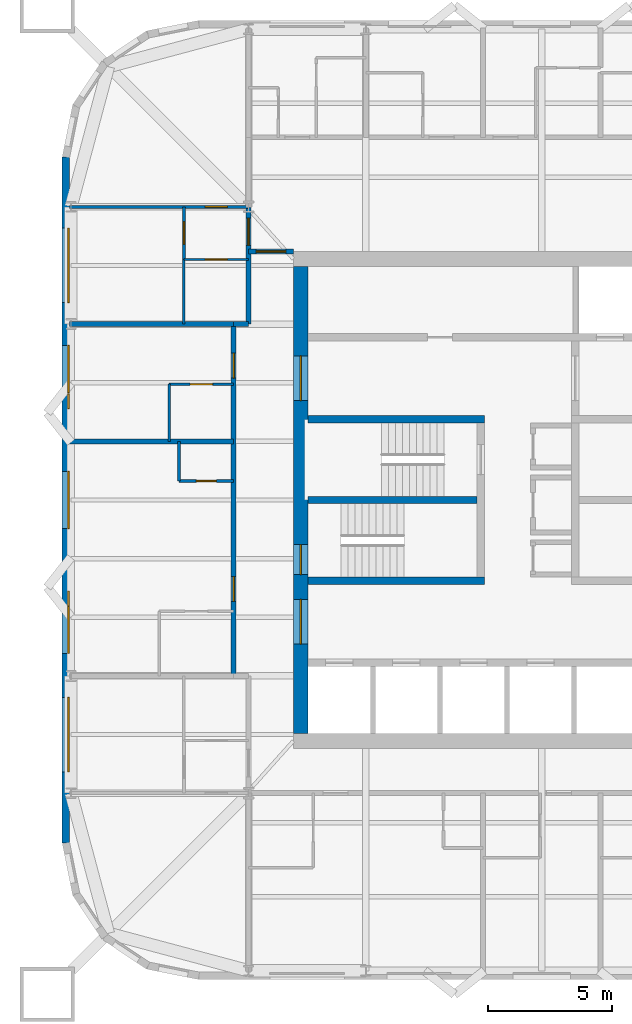
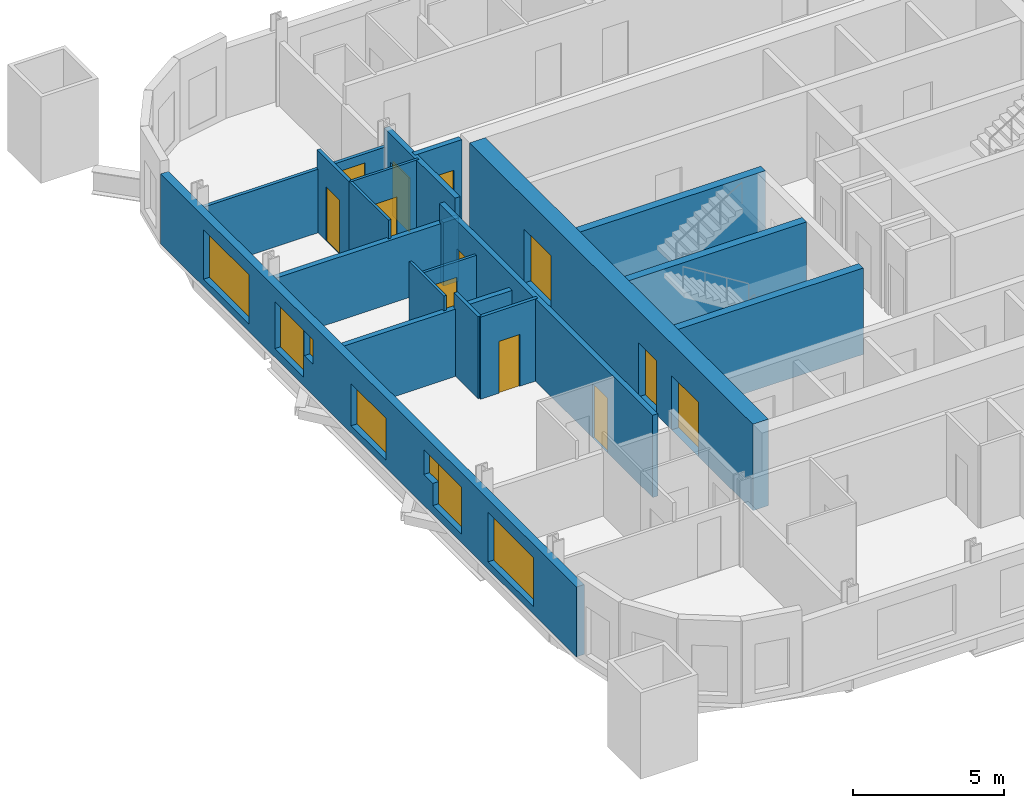
# One storey, part 4 of 9: 19 walls, 12 doors, 7 windows, 19 openings.
"""IFC4 building model written with IfcOpenShell, lengths in metres."""

from ifc_helpers import new_model, si_unit, direction, frame, frame_2d, origin, place, context, subcontext, project, spatial, rectangle, extrude, material, layer, layer_set, type_object, element, fill, save


model = new_model("IFC4")

# Units and contexts
model_context = context("Model", 3, precision=1e-05, world=origin(), true_north=direction((0.0, 1.0)))
body_context = subcontext(model_context, "Body", "Model", "MODEL_VIEW")
ifc_project = project(units=[si_unit("LENGTHUNIT", "METRE"), si_unit("AREAUNIT", "SQUARE_METRE"), si_unit("VOLUMEUNIT", "CUBIC_METRE"), si_unit("PLANEANGLEUNIT", "RADIAN"), si_unit("MASSUNIT", "GRAM", prefix="KILO")], contexts=[model_context])

# Site, building, storey
site_placement = place(None, origin())
site = spatial("IfcSite", under=ifc_project, at=site_placement, CompositionType="ELEMENT")
building_placement = place(site_placement, origin())
building = spatial("IfcBuilding", under=site, at=building_placement, Name="Turquesa Mirador Hotel Tower", CompositionType="ELEMENT")
storey_placement = place(building_placement, frame((0.0, 0.0, 186.300048828125)))
storey = spatial("IfcBuildingStorey", under=building, at=storey_placement, Name="L50", CompositionType="ELEMENT", Elevation=186.300048828125)

# Wall, opening, door
ifc_material_1 = material(Name="Gypsum board on steel studs", Category="steel")
ifc_layer_1 = layer(ifc_material_1, 0.10009765625)
ifc_layer_set_1 = layer_set([ifc_layer_1], Name="BATHROOM WALL 100")
wall_type_1 = type_object("IfcWallType", Name="BATHROOM WALL 100", PredefinedType="PARTITIONING", material=ifc_layer_set_1)
wall_1_placement = place(storey_placement, frame((40.0, 49.659912109375, 0.0), z_axis=(0.0, 0.0, 1.0), x_axis=(1.0, 0.0, 0.0)))
wall_1 = element("IfcWall", 1, at=wall_1_placement, inside=storey, type_object=wall_type_1, Name="Partition L50 033", PredefinedType="PARTITIONING", context=body_context, shape_type="SweptSolid", body=[
    extrude(rectangle(XDim=2.60009765625, YDim=0.10009765625, at=frame_2d((1.300048828125, 0.0))), origin(), (0.0, 0.0, 1.0), 2.73046875),
])
opening_1_placement = place(wall_1_placement, frame((0.85009765625, 0.0, 0.0)))
opening_1 = element("IfcOpeningElement", 2, at=opening_1_placement, cuts=wall_1, Name="Opening D02", PredefinedType="OPENING", context=body_context, shape_type="SweptSolid", body=[
    extrude(rectangle(XDim=0.89990234375, YDim=2.10009765625, at=frame_2d((0.449951171875, 1.050048828125))), frame((0.0, 0.06005859375, 0.0), z_axis=(0.0, -1.0, 0.0), x_axis=(1.0, 0.0, 0.0)), (0.0, 0.0, 1.0), 0.1201171875),
])
ifc_material_2 = material(Name="Timber veneered door", Category="wood")
door_type_1 = type_object("IfcDoorType", Name="DOOR 900X2100 EN-SUITE", OperationType="SINGLE_SWING_RIGHT", PredefinedType="DOOR", material=ifc_material_2)
door_1_placement = place(opening_1_placement, origin())
door_1 = element("IfcDoor", 3, at=door_1_placement, inside=storey, type_object=door_type_1, Name="Door 5013B", OperationType="SINGLE_SWING_RIGHT", OverallHeight=2.10009765625, OverallWidth=0.89990234375, PredefinedType="DOOR", context=body_context, shape_type="SweptSolid", body=[
    extrude(rectangle(XDim=0.89990234375, YDim=2.10009765625, at=frame_2d((0.449951171875, 1.050048828125))), frame((0.0, 0.02490234375, 0.0), z_axis=(0.0, -1.0, 0.0), x_axis=(1.0, 0.0, 0.0)), (0.0, 0.0, 1.0), 0.050048828125),
])
fill(opening_1, door_1)

wall_2_placement = place(storey_placement, frame((40.60009765625, 54.679931640625, 0.0), z_axis=(0.0, 0.0, 1.0), x_axis=(1.0, 0.0, 0.0)))
wall_2 = element("IfcWall", 4, at=wall_2_placement, inside=storey, type_object=wall_type_1, Name="Partition L50 039", PredefinedType="PARTITIONING", context=body_context, shape_type="SweptSolid", body=[
    extrude(rectangle(XDim=2.599853515625, YDim=0.10009765625, at=frame_2d((1.2998046875, 0.0))), origin(), (0.0, 0.0, 1.0), 3.329833984375),
])
opening_2_placement = place(wall_2_placement, frame((0.85009765625, 0.0, 0.0)))
opening_2 = element("IfcOpeningElement", 5, at=opening_2_placement, cuts=wall_2, Name="Opening D02", PredefinedType="OPENING", context=body_context, shape_type="SweptSolid", body=[
    extrude(rectangle(XDim=0.89990234375, YDim=2.10009765625, at=frame_2d((0.449951171875, 1.050048828125))), frame((0.0, 0.06005859375, 0.0), z_axis=(0.0, -1.0, 0.0), x_axis=(1.0, 0.0, 0.0)), (0.0, 0.0, 1.0), 0.1201171875),
])
door_2_placement = place(opening_2_placement, origin())
door_2 = element("IfcDoor", 6, at=door_2_placement, inside=storey, type_object=door_type_1, Name="Door 5015B", OperationType="SINGLE_SWING_RIGHT", OverallHeight=2.10009765625, OverallWidth=0.89990234375, PredefinedType="DOOR", context=body_context, shape_type="SweptSolid", body=[
    extrude(rectangle(XDim=0.89990234375, YDim=2.10009765625, at=frame_2d((0.449951171875, 1.050048828125))), frame((0.0, 0.02490234375, 0.0), z_axis=(0.0, -1.0, 0.0), x_axis=(1.0, 0.0, 0.0)), (0.0, 0.0, 1.0), 0.050048828125),
])
fill(opening_2, door_2)

# Walls
wall_3_placement = place(storey_placement, frame((40.60009765625, 52.080078125, 0.0), z_axis=(0.0, 0.0, 1.0), x_axis=(0.0, 1.0, 0.0)))
element("IfcWall", 7, at=wall_3_placement, inside=storey, type_object=wall_type_1, Name="Partition L50 050", PredefinedType="PARTITIONING", context=body_context, shape_type="SweptSolid", body=[
    extrude(rectangle(XDim=2.599853515625, YDim=0.10009765625, at=frame_2d((1.2998046875, 0.0))), origin(), (0.0, 0.0, 1.0), 3.329833984375),
])
wall_4_placement = place(storey_placement, frame((40.0, 47.360107421875, 0.0), z_axis=(0.0, 0.0, 1.0), x_axis=(0.0, 1.0, 0.0)))
element("IfcWall", 8, at=wall_4_placement, inside=storey, type_object=wall_type_1, Name="Partition L50 054", PredefinedType="PARTITIONING", context=body_context, shape_type="SweptSolid", body=[
    extrude(rectangle(XDim=2.2998046875, YDim=0.10009765625, at=frame_2d((1.14990234375, 0.0))), origin(), (0.0, 0.0, 1.0), 3.329833984375),
])
ifc_material_3 = material(Name="Concrete C50/60", Category="concrete")
ifc_layer_2 = layer(ifc_material_3, 0.300048828125)
ifc_layer_set_2 = layer_set([ifc_layer_2], Name="CORE INNER WALL 300")
wall_type_2 = type_object("IfcWallType", Name="CORE INNER WALL 300", PredefinedType="SHEAR", material=ifc_layer_set_2)
for number, where, z_axis, x_axis, name in (
    (9, (45.60009765625, 48.25, 0.0), (0.0, 0.0, 1.0), (1.0, 0.0, 0.0), "Core wall MN-W"),
    (10, (45.60009765625, 41.75, 0.0), (0.0, 0.0, 1.0), (1.0, 0.0, 0.0), "Core wall MS-W"),
):
    element("IfcWall", number, at=place(storey_placement, frame(where, z_axis=z_axis, x_axis=x_axis)), inside=storey, type_object=wall_type_2, Name=name, PredefinedType="SHEAR", context=body_context, shape_type="SweptSolid", body=[
        extrude(rectangle(XDim=7.099853515625, YDim=0.300048828125, at=frame_2d((3.5498046875, 0.0))), origin(), (0.0, 0.0, 1.0), 3.5),
    ])
wall_5_placement = place(storey_placement, frame((45.60009765625, 45.0, 0.0), z_axis=(0.0, 0.0, 1.0), x_axis=(1.0, 0.0, 0.0)))
element("IfcWall", 11, at=wall_5_placement, inside=storey, type_object=wall_type_2, Name="Core wall M0-W", PredefinedType="SHEAR", context=body_context, shape_type="SweptSolid", body=[
    extrude(rectangle(XDim=6.7998046875, YDim=0.300048828125, at=frame_2d((3.39990234375, 0.0))), origin(), (0.0, 0.0, 1.0), 3.5),
])

# Wall, openings, doors
ifc_material_4 = material(Name="Concrete C50/60", Category="concrete")
ifc_layer_3 = layer(ifc_material_4, 0.60009765625)
ifc_layer_set_3 = layer_set([ifc_layer_3], Name="CORE WALL 600")
wall_type_3 = type_object("IfcWallType", Name="CORE WALL 600", PredefinedType="SHEAR", material=ifc_layer_set_3)
wall_6_placement = place(storey_placement, frame((45.300048828125, 35.60009765625, 0.0), z_axis=(0.0, 0.0, 1.0), x_axis=(0.0, 1.0, 0.0)))
wall_6 = element("IfcWall", 12, at=wall_6_placement, inside=storey, type_object=wall_type_3, Name="Core wall W", PredefinedType="SHEAR", context=body_context, shape_type="SweptSolid", body=[
    extrude(rectangle(XDim=18.7998046875, YDim=0.60009765625, at=frame_2d((9.39990234375, 0.0))), origin(), (0.0, 0.0, 1.0), 3.5),
])
opening_3_placement = place(wall_6_placement, frame((13.39990234375, 0.0, 0.0)))
opening_3 = element("IfcOpeningElement", 13, at=opening_3_placement, cuts=wall_6, Name="Opening D04", PredefinedType="OPENING", context=body_context, shape_type="SweptSolid", body=[
    extrude(rectangle(XDim=1.800048828125, YDim=2.199951171875, at=frame_2d((0.89990234375, 1.10009765625))), frame((0.0, 0.31005859375, 0.0), z_axis=(0.0, -1.0, 0.0), x_axis=(1.0, 0.0, 0.0)), (0.0, 0.0, 1.0), 0.6201171875),
])
opening_4_placement = place(wall_6_placement, frame((3.60009765625, 0.0, 0.0)))
opening_4 = element("IfcOpeningElement", 14, at=opening_4_placement, cuts=wall_6, Name="Opening D04", PredefinedType="OPENING", context=body_context, shape_type="SweptSolid", body=[
    extrude(rectangle(XDim=1.800048828125, YDim=2.199951171875, at=frame_2d((0.89990234375, 1.10009765625))), frame((0.0, 0.31005859375, 0.0), z_axis=(0.0, -1.0, 0.0), x_axis=(1.0, 0.0, 0.0)), (0.0, 0.0, 1.0), 0.6201171875),
])
opening_5_placement = place(wall_6_placement, frame((6.39990234375, 0.0, 0.0)))
opening_5 = element("IfcOpeningElement", 15, at=opening_5_placement, cuts=wall_6, Name="Opening D03", PredefinedType="OPENING", context=body_context, shape_type="SweptSolid", body=[
    extrude(rectangle(XDim=1.199951171875, YDim=2.199951171875, at=frame_2d((0.60009765625, 1.10009765625))), frame((0.0, 0.31005859375, 0.0), z_axis=(0.0, -1.0, 0.0), x_axis=(1.0, 0.0, 0.0)), (0.0, 0.0, 1.0), 0.6201171875),
])
ifc_material_5 = material(Name="Steel fire door", Category="steel")
door_type_2 = type_object("IfcDoorType", Name="DOOR 1200X2200 STAIR", OperationType="SINGLE_SWING_LEFT", PredefinedType="DOOR", material=ifc_material_5)
door_3_placement = place(opening_5_placement, origin())
door_3 = element("IfcDoor", 16, at=door_3_placement, inside=storey, type_object=door_type_2, Name="Stair ST2 door", OperationType="SINGLE_SWING_LEFT", OverallHeight=2.199951171875, OverallWidth=1.199951171875, PredefinedType="DOOR", context=body_context, shape_type="SweptSolid", body=[
    extrude(rectangle(XDim=1.199951171875, YDim=2.199951171875, at=frame_2d((0.60009765625, 1.10009765625))), frame((0.0, 0.02490234375, 0.0), z_axis=(0.0, -1.0, 0.0), x_axis=(1.0, 0.0, 0.0)), (0.0, 0.0, 1.0), 0.050048828125),
])
fill(opening_5, door_3)
ifc_material_6 = material(Name="Steel fire door pair", Category="steel")
door_type_3 = type_object("IfcDoorType", Name="DOOR 1800X2200 PAIR", OperationType="DOUBLE_DOOR_SINGLE_SWING", PredefinedType="DOOR", material=ifc_material_6)
door_4_placement = place(opening_3_placement, origin())
door_4 = element("IfcDoor", 17, at=door_4_placement, inside=storey, type_object=door_type_3, Name="North lift lobby door", OperationType="DOUBLE_DOOR_SINGLE_SWING", OverallHeight=2.199951171875, OverallWidth=1.800048828125, PredefinedType="DOOR", context=body_context, shape_type="SweptSolid", body=[
    extrude(rectangle(XDim=1.800048828125, YDim=2.199951171875, at=frame_2d((0.89990234375, 1.10009765625))), frame((0.0, 0.02490234375, 0.0), z_axis=(0.0, -1.0, 0.0), x_axis=(1.0, 0.0, 0.0)), (0.0, 0.0, 1.0), 0.050048828125),
])
fill(opening_3, door_4)
door_5_placement = place(opening_4_placement, origin())
door_5 = element("IfcDoor", 18, at=door_5_placement, inside=storey, type_object=door_type_3, Name="South lift lobby door", OperationType="DOUBLE_DOOR_SINGLE_SWING", OverallHeight=2.199951171875, OverallWidth=1.800048828125, PredefinedType="DOOR", context=body_context, shape_type="SweptSolid", body=[
    extrude(rectangle(XDim=1.800048828125, YDim=2.199951171875, at=frame_2d((0.89990234375, 1.10009765625))), frame((0.0, 0.02490234375, 0.0), z_axis=(0.0, -1.0, 0.0), x_axis=(1.0, 0.0, 0.0)), (0.0, 0.0, 1.0), 0.050048828125),
])
fill(opening_4, door_5)

# Wall, opening, door
ifc_material_7 = material(Name="Fire-rated gypsum board on steel studs", Category="steel")
ifc_layer_4 = layer(ifc_material_7, 0.199951171875)
ifc_layer_set_4 = layer_set([ifc_layer_4], Name="CORRIDOR WALL 200")
wall_type_4 = type_object("IfcWallType", Name="CORRIDOR WALL 200", PredefinedType="PARTITIONING", material=ifc_layer_set_4)
wall_7_placement = place(storey_placement, frame((43.199951171875, 55.0, 0.0), z_axis=(0.0, 0.0, 1.0), x_axis=(1.0, 0.0, 0.0)))
wall_7 = element("IfcWall", 19, at=wall_7_placement, inside=storey, type_object=wall_type_4, Name="Partition L50 019", PredefinedType="PARTITIONING", context=body_context, shape_type="SweptSolid", body=[
    extrude(rectangle(XDim=1.800048828125, YDim=0.199951171875, at=frame_2d((0.89990234375, 0.0))), origin(), (0.0, 0.0, 1.0), 3.329833984375),
])
opening_6_placement = place(wall_7_placement, frame((0.300048828125, 0.0, 0.0)))
opening_6 = element("IfcOpeningElement", 20, at=opening_6_placement, cuts=wall_7, Name="Opening D19", PredefinedType="OPENING", context=body_context, shape_type="SweptSolid", body=[
    extrude(rectangle(XDim=1.199951171875, YDim=2.199951171875, at=frame_2d((0.60009765625, 1.10009765625))), frame((0.0, 0.10986328125, 0.0), z_axis=(0.0, -1.0, 0.0), x_axis=(1.0, 0.0, 0.0)), (0.0, 0.0, 1.0), 0.219970703125),
])
ifc_material_8 = material(Name="Steel glazed fire door", Category="steel")
door_type_4 = type_object("IfcDoorType", Name="DOOR 1200X2200 FIRE DOOR GLAZED", OperationType="SINGLE_SWING_LEFT", PredefinedType="DOOR", material=ifc_material_8)
door_6_placement = place(opening_6_placement, origin())
door_6 = element("IfcDoor", 21, at=door_6_placement, inside=storey, type_object=door_type_4, Name="Door L50-C03", OperationType="SINGLE_SWING_LEFT", OverallHeight=2.199951171875, OverallWidth=1.199951171875, PredefinedType="DOOR", context=body_context, shape_type="SweptSolid", body=[
    extrude(rectangle(XDim=1.199951171875, YDim=2.199951171875, at=frame_2d((0.60009765625, 1.10009765625))), frame((0.0, 0.02490234375, 0.0), z_axis=(0.0, -1.0, 0.0), x_axis=(1.0, 0.0, 0.0)), (0.0, 0.0, 1.0), 0.050048828125),
])
fill(opening_6, door_6)

# Wall
wall_8_placement = place(storey_placement, frame((42.60009765625, 52.080078125, 0.0), z_axis=(0.0, 0.0, 1.0), x_axis=(1.0, 0.0, 0.0)))
element("IfcWall", 22, at=wall_8_placement, inside=storey, type_object=wall_type_4, Name="Partition L50 035", PredefinedType="PARTITIONING", context=body_context, shape_type="SweptSolid", body=[
    extrude(rectangle(XDim=0.599853515625, YDim=0.199951171875, at=frame_2d((0.2998046875, 0.0))), origin(), (0.0, 0.0, 1.0), 2.572998046875),
])

# Wall, opening, door
wall_9_placement = place(storey_placement, frame((43.199951171875, 52.080078125, 0.0), z_axis=(0.0, 0.0, 1.0), x_axis=(0.0, 1.0, 0.0)))
wall_9 = element("IfcWall", 23, at=wall_9_placement, inside=storey, type_object=wall_type_4, Name="Partition L50 045", PredefinedType="PARTITIONING", context=body_context, shape_type="SweptSolid", body=[
    extrude(rectangle(XDim=4.699951171875, YDim=0.199951171875, at=frame_2d((2.35009765625, 0.0))), origin(), (0.0, 0.0, 1.0), 3.329833984375),
])
opening_7_placement = place(wall_9_placement, frame((3.169921875, 0.0, 0.0)))
opening_7 = element("IfcOpeningElement", 24, at=opening_7_placement, cuts=wall_9, Name="Opening D15", PredefinedType="OPENING", context=body_context, shape_type="SweptSolid", body=[
    extrude(rectangle(XDim=1.10009765625, YDim=2.199951171875, at=frame_2d((0.550048828125, 1.10009765625))), frame((0.0, 0.10986328125, 0.0), z_axis=(0.0, -1.0, 0.0), x_axis=(1.0, 0.0, 0.0)), (0.0, 0.0, 1.0), 0.219970703125),
])
ifc_material_9 = material(Name="Timber veneered fire door", Category="wood")
door_type_5 = type_object("IfcDoorType", Name="DOOR 1100X2200 SUITE ENTRY", OperationType="SINGLE_SWING_LEFT", PredefinedType="DOOR", material=ifc_material_9)
door_7_placement = place(opening_7_placement, origin())
door_7 = element("IfcDoor", 25, at=door_7_placement, inside=storey, type_object=door_type_5, Name="Door 5015H", OperationType="SINGLE_SWING_LEFT", OverallHeight=2.199951171875, OverallWidth=1.10009765625, PredefinedType="DOOR", context=body_context, shape_type="SweptSolid", body=[
    extrude(rectangle(XDim=1.10009765625, YDim=2.199951171875, at=frame_2d((0.550048828125, 1.10009765625))), frame((0.0, 0.02490234375, 0.0), z_axis=(0.0, -1.0, 0.0), x_axis=(1.0, 0.0, 0.0)), (0.0, 0.0, 1.0), 0.050048828125),
])
fill(opening_7, door_7)

# Wall, openings, doors
wall_10_placement = place(storey_placement, frame((42.60009765625, 37.919921875, 0.0), z_axis=(0.0, 0.0, 1.0), x_axis=(0.0, 1.0, 0.0)))
wall_10 = element("IfcWall", 26, at=wall_10_placement, inside=storey, type_object=wall_type_4, Name="Partition L50 048", PredefinedType="PARTITIONING", context=body_context, shape_type="SweptSolid", body=[
    extrude(rectangle(XDim=14.16015625, YDim=0.199951171875, at=frame_2d((7.080078125, 0.0))), origin(), (0.0, 0.0, 1.0), 3.329833984375),
])
opening_8_placement = place(wall_10_placement, frame((3.0, 0.0, 0.0)))
opening_8 = element("IfcOpeningElement", 27, at=opening_8_placement, cuts=wall_10, Name="Opening D01", PredefinedType="OPENING", context=body_context, shape_type="SweptSolid", body=[
    extrude(rectangle(XDim=1.0, YDim=2.199951171875, at=frame_2d((0.5, 1.10009765625))), frame((0.0, 0.10986328125, 0.0), z_axis=(0.0, -1.0, 0.0), x_axis=(1.0, 0.0, 0.0)), (0.0, 0.0, 1.0), 0.219970703125),
])
opening_9_placement = place(wall_10_placement, frame((11.989990234375, 0.0, 0.0)))
opening_9 = element("IfcOpeningElement", 28, at=opening_9_placement, cuts=wall_10, Name="Opening D01", PredefinedType="OPENING", context=body_context, shape_type="SweptSolid", body=[
    extrude(rectangle(XDim=1.0, YDim=2.199951171875, at=frame_2d((0.5, 1.10009765625))), frame((0.0, 0.10986328125, 0.0), z_axis=(0.0, -1.0, 0.0), x_axis=(1.0, 0.0, 0.0)), (0.0, 0.0, 1.0), 0.219970703125),
])
ifc_material_10 = material(Name="Timber veneered fire door", Category="wood")
door_type_6 = type_object("IfcDoorType", Name="DOOR 1000X2200 GUEST ENTRY", OperationType="SINGLE_SWING_LEFT", PredefinedType="DOOR", material=ifc_material_10)
door_8_placement = place(opening_8_placement, origin())
door_8 = element("IfcDoor", 29, at=door_8_placement, inside=storey, type_object=door_type_6, Name="Door 5012", OperationType="SINGLE_SWING_LEFT", OverallHeight=2.199951171875, OverallWidth=1.0, PredefinedType="DOOR", context=body_context, shape_type="SweptSolid", body=[
    extrude(rectangle(XDim=1.0, YDim=2.199951171875, at=frame_2d((0.5, 1.10009765625))), frame((0.0, 0.02490234375, 0.0), z_axis=(0.0, -1.0, 0.0), x_axis=(1.0, 0.0, 0.0)), (0.0, 0.0, 1.0), 0.050048828125),
])
fill(opening_8, door_8)
door_9_placement = place(opening_9_placement, origin())
door_9 = element("IfcDoor", 30, at=door_9_placement, inside=storey, type_object=door_type_6, Name="Door 5013", OperationType="SINGLE_SWING_LEFT", OverallHeight=2.199951171875, OverallWidth=1.0, PredefinedType="DOOR", context=body_context, shape_type="SweptSolid", body=[
    extrude(rectangle(XDim=1.0, YDim=2.199951171875, at=frame_2d((0.5, 1.10009765625))), frame((0.0, 0.02490234375, 0.0), z_axis=(0.0, -1.0, 0.0), x_axis=(1.0, 0.0, 0.0)), (0.0, 0.0, 1.0), 0.050048828125),
])
fill(opening_9, door_9)

# Wall, openings, windows
ifc_material_11 = material(Name="Limestone cladding on concrete block", Category="masonry")
ifc_layer_5 = layer(ifc_material_11, 0.300048828125)
ifc_layer_set_5 = layer_set([ifc_layer_5], Name="FACADE WALL 300 STONE SCREEN")
wall_type_5 = type_object("IfcWallType", Name="FACADE WALL 300 STONE SCREEN", PredefinedType="SOLIDWALL", material=ifc_layer_set_5)
wall_11_placement = place(storey_placement, frame((35.85009765625, 58.800048828125, 0.0), z_axis=(0.0, 0.0, 1.0), x_axis=(0.0, -1.0, 0.0)))
wall_11 = element("IfcWall", 31, at=wall_11_placement, inside=storey, type_object=wall_type_5, Name="Facade wall L50 14", PredefinedType="SOLIDWALL", context=body_context, shape_type="SweptSolid", body=[
    extrude(rectangle(XDim=27.60009765625, YDim=0.300048828125, at=frame_2d((13.800048828125, 0.0))), origin(), (0.0, 0.0, 1.0), 2.829833984375),
])
opening_10_placement = place(wall_11_placement, frame((2.860107421875, 0.0, 0.300048828125)))
opening_10 = element("IfcOpeningElement", 32, at=opening_10_placement, cuts=wall_11, Name="Opening WN1", PredefinedType="OPENING", context=body_context, shape_type="SweptSolid", body=[
    extrude(rectangle(XDim=3.0, YDim=2.0, at=frame_2d((1.5, 1.0))), frame((0.0, 0.159912109375, 0.0), z_axis=(0.0, -1.0, 0.0), x_axis=(1.0, 0.0, 0.0)), (0.0, 0.0, 1.0), 0.320068359375),
])
opening_11_placement = place(wall_11_placement, frame((7.580078125, 0.0, 0.35009765625)))
opening_11 = element("IfcOpeningElement", 33, at=opening_11_placement, cuts=wall_11, Name="Opening WN48", PredefinedType="OPENING", context=body_context, shape_type="SweptSolid", body=[
    extrude(rectangle(XDim=1.89990234375, YDim=1.89990234375, at=frame_2d((0.949951171875, 0.949951171875))), frame((0.0, 0.159912109375, 0.0), z_axis=(0.0, -1.0, 0.0), x_axis=(1.0, 0.0, 0.0)), (0.0, 0.0, 1.0), 0.320068359375),
])
opening_12_placement = place(wall_11_placement, frame((12.64990234375, 0.0, 0.300048828125)))
opening_12 = element("IfcOpeningElement", 34, at=opening_12_placement, cuts=wall_11, Name="Opening WN51", PredefinedType="OPENING", context=body_context, shape_type="SweptSolid", body=[
    extrude(rectangle(XDim=2.300048828125, YDim=1.699951171875, at=frame_2d((1.14990234375, 0.85009765625))), frame((0.0, 0.159912109375, 0.0), z_axis=(0.0, -1.0, 0.0), x_axis=(1.0, 0.0, 0.0)), (0.0, 0.0, 1.0), 0.320068359375),
])
opening_13_placement = place(wall_11_placement, frame((18.070068359375, 0.0, 0.35009765625)))
opening_13 = element("IfcOpeningElement", 35, at=opening_13_placement, cuts=wall_11, Name="Opening WN48", PredefinedType="OPENING", context=body_context, shape_type="SweptSolid", body=[
    extrude(rectangle(XDim=1.89990234375, YDim=1.89990234375, at=frame_2d((0.949951171875, 0.949951171875))), frame((0.0, 0.159912109375, 0.0), z_axis=(0.0, -1.0, 0.0), x_axis=(1.0, 0.0, 0.0)), (0.0, 0.0, 1.0), 0.320068359375),
])
opening_14_placement = place(wall_11_placement, frame((21.739990234375, 0.0, 0.300048828125)))
opening_14 = element("IfcOpeningElement", 36, at=opening_14_placement, cuts=wall_11, Name="Opening WN1", PredefinedType="OPENING", context=body_context, shape_type="SweptSolid", body=[
    extrude(rectangle(XDim=3.0, YDim=2.0, at=frame_2d((1.5, 1.0))), frame((0.0, 0.159912109375, 0.0), z_axis=(0.0, -1.0, 0.0), x_axis=(1.0, 0.0, 0.0)), (0.0, 0.0, 1.0), 0.320068359375),
])
opening_15_placement = place(wall_11_placement, frame((9.530029296875, 0.0, 1.25)))
opening_15 = element("IfcOpeningElement", 37, at=opening_15_placement, cuts=wall_11, Name="Opening WN29", PredefinedType="OPENING", context=body_context, shape_type="SweptSolid", body=[
    extrude(rectangle(XDim=0.60009765625, YDim=1.0, at=frame_2d((0.300048828125, 0.5))), frame((0.0, 0.159912109375, 0.0), z_axis=(0.0, -1.0, 0.0), x_axis=(1.0, 0.0, 0.0)), (0.0, 0.0, 1.0), 0.320068359375),
])
opening_16_placement = place(wall_11_placement, frame((17.469970703125, 0.0, 1.25)))
opening_16 = element("IfcOpeningElement", 38, at=opening_16_placement, cuts=wall_11, Name="Opening WN29", PredefinedType="OPENING", context=body_context, shape_type="SweptSolid", body=[
    extrude(rectangle(XDim=0.60009765625, YDim=1.0, at=frame_2d((0.300048828125, 0.5))), frame((0.0, 0.159912109375, 0.0), z_axis=(0.0, -1.0, 0.0), x_axis=(1.0, 0.0, 0.0)), (0.0, 0.0, 1.0), 0.320068359375),
])
ifc_material_12 = material(Name="Ceramic-fritted laminated glass", Category="glass")
window_type_1 = type_object("IfcWindowType", Name="FRITTED WINDOW 1900X1900", PartitioningType="DOUBLE_PANEL_HORIZONTAL", PredefinedType="WINDOW", material=ifc_material_12)
window_1_placement = place(opening_11_placement, origin())
window_1 = element("IfcWindow", 39, at=window_1_placement, inside=storey, type_object=window_type_1, Name="Window L50", OverallHeight=1.89990234375, OverallWidth=1.89990234375, PartitioningType="SINGLE_PANEL", PredefinedType="WINDOW", context=body_context, shape_type="SweptSolid", body=[
    extrude(rectangle(XDim=1.89990234375, YDim=1.89990234375, at=frame_2d((0.949951171875, 0.949951171875))), frame((0.0, 0.130126953125, 0.0), z_axis=(0.0, -1.0, 0.0), x_axis=(1.0, 0.0, 0.0)), (0.0, 0.0, 1.0), 0.06005859375),
])
fill(opening_11, window_1)
window_2_placement = place(opening_13_placement, origin())
window_2 = element("IfcWindow", 40, at=window_2_placement, inside=storey, type_object=window_type_1, Name="Window L50", OverallHeight=1.89990234375, OverallWidth=1.89990234375, PartitioningType="SINGLE_PANEL", PredefinedType="WINDOW", context=body_context, shape_type="SweptSolid", body=[
    extrude(rectangle(XDim=1.89990234375, YDim=1.89990234375, at=frame_2d((0.949951171875, 0.949951171875))), frame((0.0, 0.130126953125, 0.0), z_axis=(0.0, -1.0, 0.0), x_axis=(1.0, 0.0, 0.0)), (0.0, 0.0, 1.0), 0.06005859375),
])
fill(opening_13, window_2)
ifc_material_13 = material(Name="Ceramic-fritted laminated glass", Category="glass")
window_type_2 = type_object("IfcWindowType", Name="FRITTED WINDOW 2300X1700", PartitioningType="DOUBLE_PANEL_HORIZONTAL", PredefinedType="WINDOW", material=ifc_material_13)
window_3_placement = place(opening_12_placement, origin())
window_3 = element("IfcWindow", 41, at=window_3_placement, inside=storey, type_object=window_type_2, Name="Window L50", OverallHeight=1.699951171875, OverallWidth=2.300048828125, PartitioningType="SINGLE_PANEL", PredefinedType="WINDOW", context=body_context, shape_type="SweptSolid", body=[
    extrude(rectangle(XDim=2.300048828125, YDim=1.699951171875, at=frame_2d((1.14990234375, 0.85009765625))), frame((0.0, 0.130126953125, 0.0), z_axis=(0.0, -1.0, 0.0), x_axis=(1.0, 0.0, 0.0)), (0.0, 0.0, 1.0), 0.06005859375),
])
fill(opening_12, window_3)
ifc_material_14 = material(Name="Ceramic-fritted laminated glass", Category="glass")
window_type_3 = type_object("IfcWindowType", Name="FRITTED WINDOW 3000X2000", PartitioningType="DOUBLE_PANEL_HORIZONTAL", PredefinedType="WINDOW", material=ifc_material_14)
window_4_placement = place(opening_10_placement, origin())
window_4 = element("IfcWindow", 42, at=window_4_placement, inside=storey, type_object=window_type_3, Name="Window L50", OverallHeight=2.0, OverallWidth=3.0, PartitioningType="SINGLE_PANEL", PredefinedType="WINDOW", context=body_context, shape_type="SweptSolid", body=[
    extrude(rectangle(XDim=3.0, YDim=2.0, at=frame_2d((1.5, 1.0))), frame((0.0, 0.130126953125, 0.0), z_axis=(0.0, -1.0, 0.0), x_axis=(1.0, 0.0, 0.0)), (0.0, 0.0, 1.0), 0.06005859375),
])
fill(opening_10, window_4)
window_5_placement = place(opening_14_placement, origin())
window_5 = element("IfcWindow", 43, at=window_5_placement, inside=storey, type_object=window_type_3, Name="Window L50", OverallHeight=2.0, OverallWidth=3.0, PartitioningType="SINGLE_PANEL", PredefinedType="WINDOW", context=body_context, shape_type="SweptSolid", body=[
    extrude(rectangle(XDim=3.0, YDim=2.0, at=frame_2d((1.5, 1.0))), frame((0.0, 0.130126953125, 0.0), z_axis=(0.0, -1.0, 0.0), x_axis=(1.0, 0.0, 0.0)), (0.0, 0.0, 1.0), 0.06005859375),
])
fill(opening_14, window_5)
ifc_material_15 = material(Name="Ceramic-fritted laminated glass", Category="glass")
window_type_4 = type_object("IfcWindowType", Name="FRITTED WINDOW 600X1000", PartitioningType="DOUBLE_PANEL_HORIZONTAL", PredefinedType="WINDOW", material=ifc_material_15)
window_6_placement = place(opening_15_placement, origin())
window_6 = element("IfcWindow", 44, at=window_6_placement, inside=storey, type_object=window_type_4, Name="Window L50", OverallHeight=1.0, OverallWidth=0.60009765625, PartitioningType="SINGLE_PANEL", PredefinedType="WINDOW", context=body_context, shape_type="SweptSolid", body=[
    extrude(rectangle(XDim=0.60009765625, YDim=1.0, at=frame_2d((0.300048828125, 0.5))), frame((0.0, 0.130126953125, 0.0), z_axis=(0.0, -1.0, 0.0), x_axis=(1.0, 0.0, 0.0)), (0.0, 0.0, 1.0), 0.06005859375),
])
fill(opening_15, window_6)
window_7_placement = place(opening_16_placement, origin())
window_7 = element("IfcWindow", 45, at=window_7_placement, inside=storey, type_object=window_type_4, Name="Window L50", OverallHeight=1.0, OverallWidth=0.60009765625, PartitioningType="SINGLE_PANEL", PredefinedType="WINDOW", context=body_context, shape_type="SweptSolid", body=[
    extrude(rectangle(XDim=0.60009765625, YDim=1.0, at=frame_2d((0.300048828125, 0.5))), frame((0.0, 0.130126953125, 0.0), z_axis=(0.0, -1.0, 0.0), x_axis=(1.0, 0.0, 0.0)), (0.0, 0.0, 1.0), 0.06005859375),
])
fill(opening_16, window_7)

# Walls
ifc_material_16 = material(Name="Fire-rated gypsum board on steel studs", Category="steel")
ifc_layer_6 = layer(ifc_material_16, 0.199951171875)
ifc_layer_set_6 = layer_set([ifc_layer_6], Name="PARTY WALL 200")
wall_type_6 = type_object("IfcWallType", Name="PARTY WALL 200", PredefinedType="PARTITIONING", material=ifc_layer_set_6)
wall_12_placement = place(storey_placement, frame((36.0, 47.360107421875, 0.0), z_axis=(0.0, 0.0, 1.0), x_axis=(1.0, 0.0, 0.0)))
element("IfcWall", 46, at=wall_12_placement, inside=storey, type_object=wall_type_6, Name="Partition L50 031", PredefinedType="PARTITIONING", context=body_context, shape_type="SweptSolid", body=[
    extrude(rectangle(XDim=6.60009765625, YDim=0.199951171875, at=frame_2d((3.300048828125, 0.0))), origin(), (0.0, 0.0, 1.0), 2.73046875),
])
wall_13_placement = place(storey_placement, frame((36.0, 52.080078125, 0.0), z_axis=(0.0, 0.0, 1.0), x_axis=(1.0, 0.0, 0.0)))
element("IfcWall", 47, at=wall_13_placement, inside=storey, type_object=wall_type_6, Name="Partition L50 037", PredefinedType="PARTITIONING", context=body_context, shape_type="SweptSolid", body=[
    extrude(rectangle(XDim=6.60009765625, YDim=0.199951171875, at=frame_2d((3.300048828125, 0.0))), origin(), (0.0, 0.0, 1.0), 2.572998046875),
])

# Wall, opening, door
ifc_material_17 = material(Name="Acoustic gypsum board on steel studs", Category="steel")
ifc_layer_7 = layer(ifc_material_17, 0.125)
ifc_layer_set_7 = layer_set([ifc_layer_7], Name="SUITE PARTITION 125")
wall_type_7 = type_object("IfcWallType", Name="SUITE PARTITION 125", PredefinedType="PARTITIONING", material=ifc_layer_set_7)
wall_14_placement = place(storey_placement, frame((40.39990234375, 45.760009765625, 0.0), z_axis=(0.0, 0.0, 1.0), x_axis=(1.0, 0.0, 0.0)))
wall_14 = element("IfcWall", 48, at=wall_14_placement, inside=storey, type_object=wall_type_7, Name="Partition L50 017", PredefinedType="PARTITIONING", context=body_context, shape_type="SweptSolid", body=[
    extrude(rectangle(XDim=2.2001953125, YDim=0.125, at=frame_2d((1.10009765625, 0.0))), origin(), (0.0, 0.0, 1.0), 3.329833984375),
])
opening_17_placement = place(wall_14_placement, frame((0.699951171875, 0.0, 0.0)))
opening_17 = element("IfcOpeningElement", 49, at=opening_17_placement, cuts=wall_14, Name="Opening D20", PredefinedType="OPENING", context=body_context, shape_type="SweptSolid", body=[
    extrude(rectangle(XDim=0.800048828125, YDim=2.10009765625, at=frame_2d((0.39990234375, 1.050048828125))), frame((0.0, 0.072509765625, 0.0), z_axis=(0.0, -1.0, 0.0), x_axis=(1.0, 0.0, 0.0)), (0.0, 0.0, 1.0), 0.14501953125),
])
ifc_material_18 = material(Name="Timber veneered sliding door", Category="wood")
door_type_7 = type_object("IfcDoorType", Name="DOOR 800X2100 WARDROBE", OperationType="SLIDING_TO_LEFT", PredefinedType="DOOR", material=ifc_material_18)
door_10_placement = place(opening_17_placement, origin())
door_10 = element("IfcDoor", 50, at=door_10_placement, inside=storey, type_object=door_type_7, Name="Door 5012W", OperationType="SLIDING_TO_LEFT", OverallHeight=2.10009765625, OverallWidth=0.800048828125, PredefinedType="DOOR", context=body_context, shape_type="SweptSolid", body=[
    extrude(rectangle(XDim=0.800048828125, YDim=2.10009765625, at=frame_2d((0.39990234375, 1.050048828125))), frame((0.0, 0.02490234375, 0.0), z_axis=(0.0, -1.0, 0.0), x_axis=(1.0, 0.0, 0.0)), (0.0, 0.0, 1.0), 0.050048828125),
])
fill(opening_17, door_10)

wall_15_placement = place(storey_placement, frame((36.0, 56.800048828125, 0.0), z_axis=(0.0, 0.0, 1.0), x_axis=(1.0, 0.0, 0.0)))
wall_15 = element("IfcWall", 51, at=wall_15_placement, inside=storey, type_object=wall_type_7, Name="Partition L50 021", PredefinedType="PARTITIONING", context=body_context, shape_type="SweptSolid", body=[
    extrude(rectangle(XDim=7.199951171875, YDim=0.125, at=frame_2d((3.60009765625, 0.0))), origin(), (0.0, 0.0, 1.0), 2.572998046875),
])
opening_18_placement = place(wall_15_placement, frame((5.449951171875, 0.0, 0.0)))
opening_18 = element("IfcOpeningElement", 52, at=opening_18_placement, cuts=wall_15, Name="Opening D17", PredefinedType="OPENING", context=body_context, shape_type="SweptSolid", body=[
    extrude(rectangle(XDim=0.89990234375, YDim=2.199951171875, at=frame_2d((0.449951171875, 1.10009765625))), frame((0.0, 0.072509765625, 0.0), z_axis=(0.0, -1.0, 0.0), x_axis=(1.0, 0.0, 0.0)), (0.0, 0.0, 1.0), 0.14501953125),
])
ifc_material_19 = material(Name="Timber veneered door", Category="wood")
door_type_8 = type_object("IfcDoorType", Name="DOOR 900X2200 SUITE INTERNAL", OperationType="SINGLE_SWING_LEFT", PredefinedType="DOOR", material=ifc_material_19)
door_11_placement = place(opening_18_placement, origin())
door_11 = element("IfcDoor", 53, at=door_11_placement, inside=storey, type_object=door_type_8, Name="Door 5015", OperationType="SINGLE_SWING_LEFT", OverallHeight=2.199951171875, OverallWidth=0.89990234375, PredefinedType="DOOR", context=body_context, shape_type="SweptSolid", body=[
    extrude(rectangle(XDim=0.89990234375, YDim=2.199951171875, at=frame_2d((0.449951171875, 1.10009765625))), frame((0.0, 0.02490234375, 0.0), z_axis=(0.0, -1.0, 0.0), x_axis=(1.0, 0.0, 0.0)), (0.0, 0.0, 1.0), 0.050048828125),
])
fill(opening_18, door_11)

wall_16_placement = place(storey_placement, frame((40.60009765625, 54.679931640625, 0.0), z_axis=(0.0, 0.0, 1.0), x_axis=(0.0, 1.0, 0.0)))
wall_16 = element("IfcWall", 54, at=wall_16_placement, inside=storey, type_object=wall_type_7, Name="Partition L50 052", PredefinedType="PARTITIONING", context=body_context, shape_type="SweptSolid", body=[
    extrude(rectangle(XDim=2.1201171875, YDim=0.125, at=frame_2d((1.06005859375, 0.0))), origin(), (0.0, 0.0, 1.0), 3.329833984375),
])
opening_19_placement = place(wall_16_placement, frame((0.610107421875, 0.0, 0.0)))
opening_19 = element("IfcOpeningElement", 55, at=opening_19_placement, cuts=wall_16, Name="Opening D17", PredefinedType="OPENING", context=body_context, shape_type="SweptSolid", body=[
    extrude(rectangle(XDim=0.89990234375, YDim=2.199951171875, at=frame_2d((0.449951171875, 1.10009765625))), frame((0.0, 0.072509765625, 0.0), z_axis=(0.0, -1.0, 0.0), x_axis=(1.0, 0.0, 0.0)), (0.0, 0.0, 1.0), 0.14501953125),
])
door_12_placement = place(opening_19_placement, origin())
door_12 = element("IfcDoor", 56, at=door_12_placement, inside=storey, type_object=door_type_8, Name="Door 5015R", OperationType="SINGLE_SWING_LEFT", OverallHeight=2.199951171875, OverallWidth=0.89990234375, PredefinedType="DOOR", context=body_context, shape_type="SweptSolid", body=[
    extrude(rectangle(XDim=0.89990234375, YDim=2.199951171875, at=frame_2d((0.449951171875, 1.10009765625))), frame((0.0, 0.02490234375, 0.0), z_axis=(0.0, -1.0, 0.0), x_axis=(1.0, 0.0, 0.0)), (0.0, 0.0, 1.0), 0.050048828125),
])
fill(opening_19, door_12)

# Wall
wall_17_placement = place(storey_placement, frame((40.39990234375, 45.760009765625, 0.0), z_axis=(0.0, 0.0, 1.0), x_axis=(0.0, 1.0, 0.0)))
element("IfcWall", 57, at=wall_17_placement, inside=storey, type_object=wall_type_7, Name="Partition L50 053", PredefinedType="PARTITIONING", context=body_context, shape_type="SweptSolid", body=[
    extrude(rectangle(XDim=1.60009765625, YDim=0.125, at=frame_2d((0.800048828125, 0.0))), origin(), (0.0, 0.0, 1.0), 3.329833984375),
])

save(model, "model.ifc")
